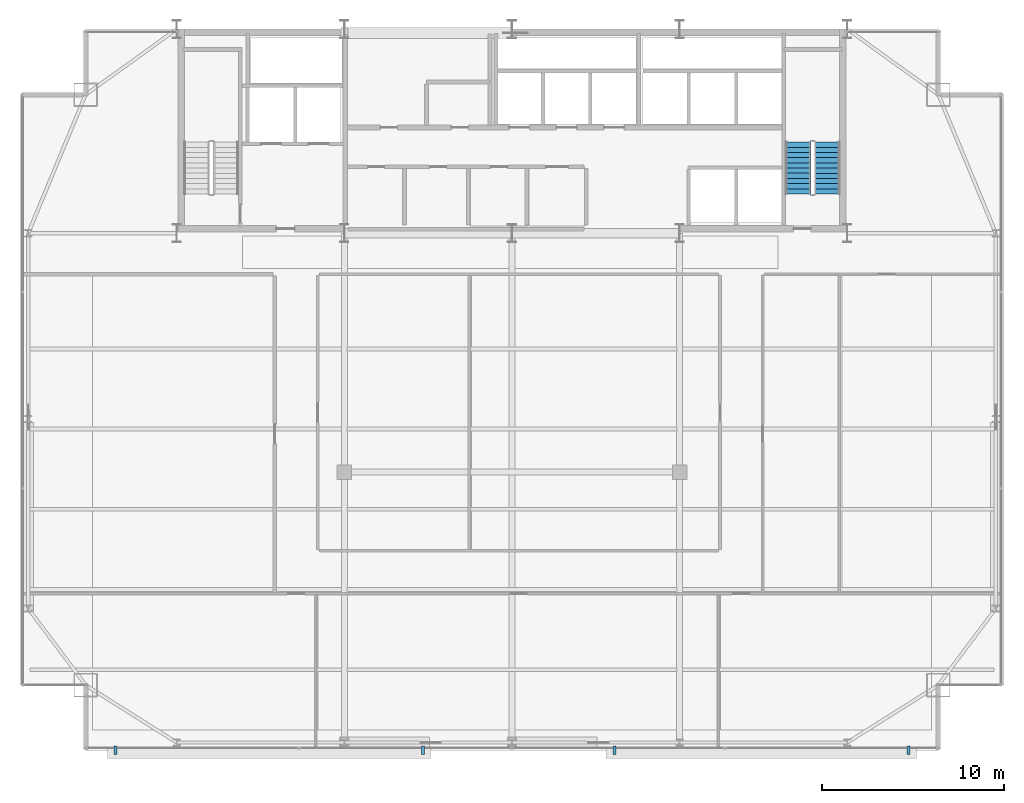
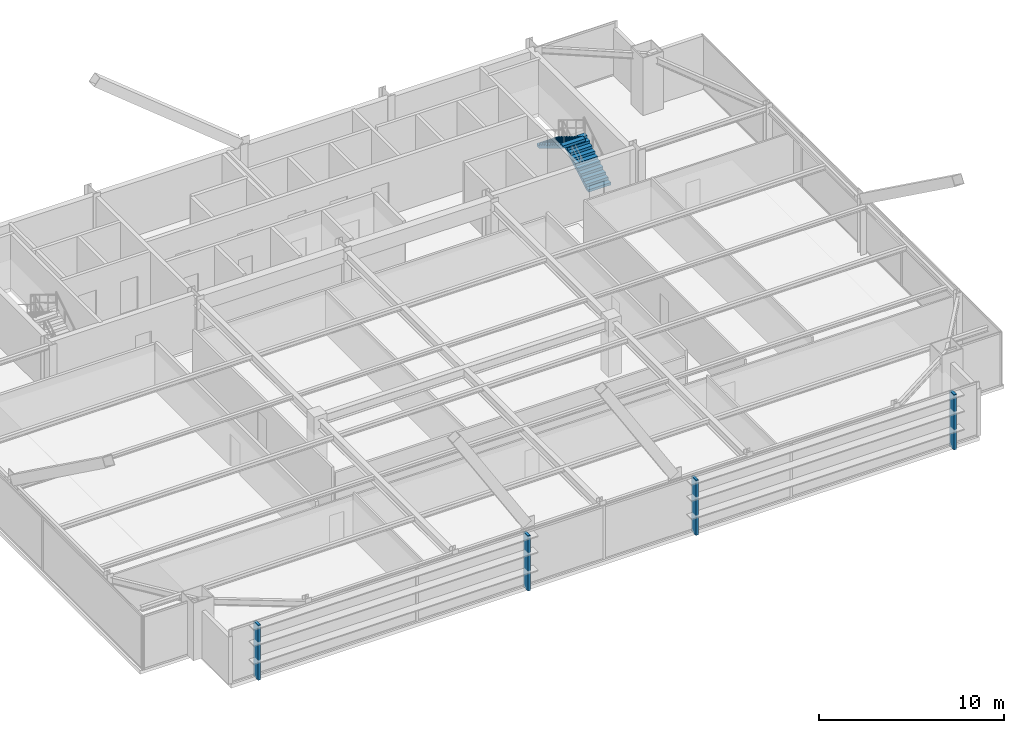
# One storey, part 28 of 30: 4 discrete accessories, 2 stair flights, 1 element without a shape of its own.
"""IFC4 building model written with IfcOpenShell, lengths in metres."""

from ifc_helpers import new_model, si_unit, direction, frame, origin, origin_2d, place, context, subcontext, project, spatial, polyline, rectangle, outline, extrude, source, transform, mapped, material, layer, layer_set, type_object, type_shapes, element, aggregate, save


model = new_model("IFC4")

# Units and contexts
model_context = context("Model", 3, precision=1e-05, world=origin(), true_north=direction((0.0, 1.0)))
body_context = subcontext(model_context, "Body", "Model", "MODEL_VIEW")
ifc_project = project(units=[si_unit("LENGTHUNIT", "METRE"), si_unit("AREAUNIT", "SQUARE_METRE"), si_unit("VOLUMEUNIT", "CUBIC_METRE"), si_unit("PLANEANGLEUNIT", "RADIAN"), si_unit("MASSUNIT", "GRAM", prefix="KILO")], contexts=[model_context])

# Site, building, storey
site_placement = place(None, origin())
site = spatial("IfcSite", under=ifc_project, at=site_placement, CompositionType="ELEMENT")
building_placement = place(site_placement, origin())
building = spatial("IfcBuilding", under=site, at=building_placement, Name="Varnel Quay Broadcast Tower", CompositionType="ELEMENT")
storey_placement = place(building_placement, frame((0.0, 0.0, 149.60009765625)))
storey = spatial("IfcBuildingStorey", under=building, at=storey_placement, Name="L36", CompositionType="ELEMENT", Elevation=149.60009765625)

# Stair, stair flights
ifc_material_1 = material(Name="Precast Structural Concrete C40/50", Category="concrete")
stair_type = type_object("IfcStairType", Name="Stair_ST-02", PredefinedType="HALF_TURN_STAIR", material=ifc_material_1)
stair_placement = place(storey_placement, origin())
stair = element("IfcStair", 1, at=stair_placement, inside=storey, type_object=stair_type, Name="L36 East Core Exit Stair 2", PredefinedType="HALF_TURN_STAIR")
stair_flight_type = type_object("IfcStairFlightType", Name="Flight_ST-02", PredefinedType="STRAIGHT", material=ifc_material_1)
stair_flight_1_placement = place(storey_placement, frame((51.300048828125, 37.75, 0.0), z_axis=(0.0, 0.0, 1.0), x_axis=(0.0, 1.0, 0.0)))
stair_flight_1 = element("IfcStairFlight", 2, at=stair_flight_1_placement, type_object=stair_flight_type, Name="ST-02 flight 1", NumberOfRisers=11, NumberOfTreads=10, PredefinedType="STRAIGHT", RiserHeight=0.172727273, TreadLength=0.285, context=body_context, shape_type="SweptSolid", body=[
    extrude(outline(polyline([(0.0, 0.0), (0.0, 0.172607421875), (0.284912109375, 0.172607421875), (0.284912109375, 0.345458984375), (0.570068359375, 0.345458984375), (0.570068359375, 0.51806640625), (0.85498046875, 0.51806640625), (0.85498046875, 0.69091796875), (1.139892578125, 0.69091796875), (1.139892578125, 0.863525390625), (1.425048828125, 0.863525390625), (1.425048828125, 1.036376953125), (1.7099609375, 1.036376953125), (1.7099609375, 1.208984375), (1.9951171875, 1.208984375), (1.9951171875, 1.3818359375), (2.280029296875, 1.3818359375), (2.280029296875, 1.554443359375), (2.56494140625, 1.554443359375), (2.56494140625, 1.727294921875), (2.85009765625, 1.727294921875), (2.85009765625, 1.89990234375), (2.85009765625, 1.552001953125), (0.289306640625, 0.0), (0.0, 0.0)])), frame((0.0, 0.699951171875, 0.0), z_axis=(0.0, -1.0, 0.0), x_axis=(1.0, 0.0, 0.0)), (0.0, 0.0, 1.0), 1.39990234375),
])
stair_flight_2_placement = place(storey_placement, frame((49.699951171875, 40.60009765625, 1.89990234375), z_axis=(0.0, 0.0, 1.0), x_axis=(0.0, -1.0, 0.0)))
stair_flight_2 = element("IfcStairFlight", 3, at=stair_flight_2_placement, type_object=stair_flight_type, Name="ST-02 flight 2", NumberOfRisers=11, NumberOfTreads=10, PredefinedType="STRAIGHT", RiserHeight=0.172727273, TreadLength=0.285, context=body_context, shape_type="SweptSolid", body=[
    extrude(outline(polyline([(0.0, 0.0), (0.0, 0.172607421875), (0.284912109375, 0.172607421875), (0.284912109375, 0.345458984375), (0.570068359375, 0.345458984375), (0.570068359375, 0.51806640625), (0.85498046875, 0.51806640625), (0.85498046875, 0.69091796875), (1.139892578125, 0.69091796875), (1.139892578125, 0.863525390625), (1.425048828125, 0.863525390625), (1.425048828125, 1.036376953125), (1.7099609375, 1.036376953125), (1.7099609375, 1.208984375), (1.9951171875, 1.208984375), (1.9951171875, 1.3818359375), (2.280029296875, 1.3818359375), (2.280029296875, 1.554443359375), (2.56494140625, 1.554443359375), (2.56494140625, 1.727294921875), (2.85009765625, 1.727294921875), (2.85009765625, 1.89990234375), (2.85009765625, 1.552001953125), (0.289306640625, 0.0), (0.0, 0.0)])), frame((0.0, 0.699951171875, 0.0), z_axis=(0.0, -1.0, 0.0), x_axis=(1.0, 0.0, 0.0)), (0.0, 0.0, 1.0), 1.39990234375),
])
aggregate(stair, [stair_flight_1, stair_flight_2])

# Discrete accessories
ifc_material_2 = material(Name="Anodised Bronze Aluminium 6063-T6", Category="aluminium")
ifc_layer = layer(ifc_material_2, 0.47998046875, Name="Anodised Bronze Aluminium 6063-T6")
ifc_layer_set = layer_set([ifc_layer], Name="Anodised Bronze Aluminium 6063-T6")
discrete_accessory_type = type_object("IfcDiscreteAccessoryType", Name="Acc_FacadeBracket", PredefinedType="BRACKET", material=ifc_layer_set)
shared_shape = source(origin(), body_context, "Body", "SweptSolid", [
    extrude(rectangle(XDim=0.159912109375, YDim=0.47998046875, at=origin_2d()), origin(), (0.0, 0.0, 1.0), 3.64990234375),
])
type_shapes(discrete_accessory_type, [shared_shape])
for number, where, z_axis, x_axis, name in (
    (4, (12.25, 7.219970703125, -0.150146484375), (0.0, 0.0, 1.0), (1.0, 0.0, 0.0), "L36 Lobe 1 Louvre Support Bracket 1"),
    (5, (29.115966796875, 7.219970703125, -0.150146484375), (0.0, 0.0, 1.0), (1.0, 0.0, 0.0), "L36 Lobe 1 Louvre Support Bracket 2"),
    (6, (39.615966796875, 7.219970703125, -0.150146484375), (0.0, 0.0, 1.0), (1.0, 0.0, 0.0), "L36 Lobe 2 Louvre Support Bracket 1"),
    (7, (55.75, 7.219970703125, -0.150146484375), (0.0, 0.0, 1.0), (1.0, 0.0, 0.0), "L36 Lobe 2 Louvre Support Bracket 2"),
):
    element("IfcDiscreteAccessory", number, at=place(storey_placement, frame(where, z_axis=z_axis, x_axis=x_axis)), inside=storey, type_object=discrete_accessory_type, Name=name, PredefinedType="BRACKET", context=body_context, shape_type="MappedRepresentation", body=[
        mapped(shared_shape, transform((0.0, 0.0, 0.0), x_axis=(1.0, 0.0, 0.0), y_axis=(0.0, 1.0, 0.0), z_axis=(0.0, 0.0, 1.0), scale=1.0)),
    ])

save(model, "model.ifc")
